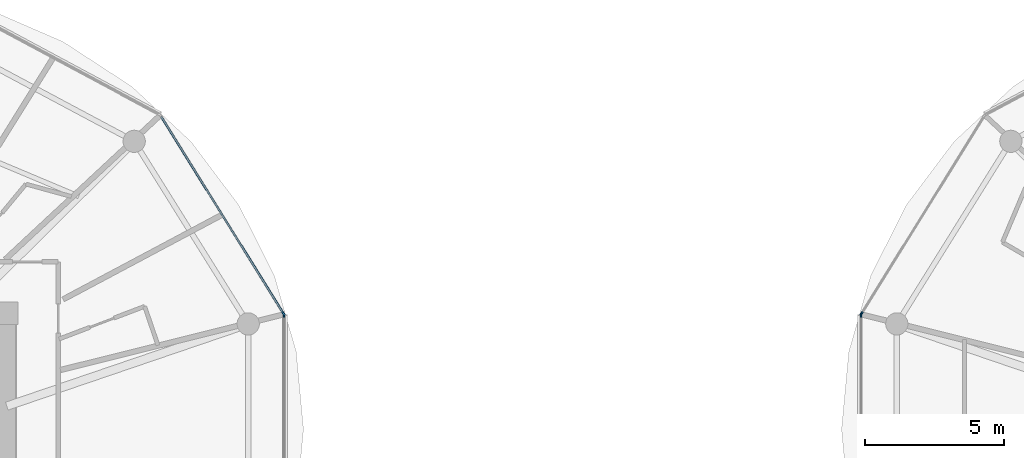
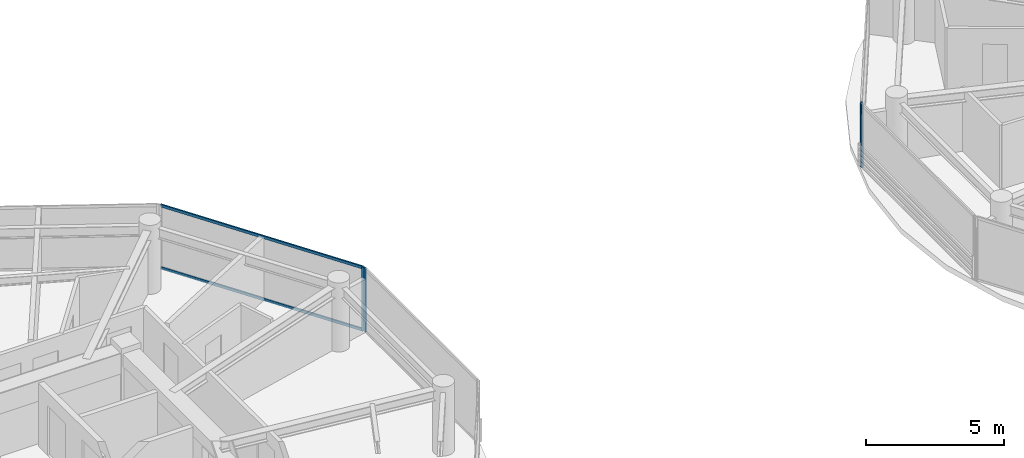
# One storey, part 7 of 22: 6 members, 4 elements without a shape of their own.
"""IFC4 building model written with IfcOpenShell, lengths in metres."""

from ifc_helpers import new_model, si_unit, direction, frame, origin, origin_2d, place, context, subcontext, project, spatial, rectangle, extrude, source, transform, mapped, material, layer, layer_set, material_profile, profile_set, type_object, type_shapes, element, aggregate, save


model = new_model("IFC4")

# Units and contexts
model_context = context("Model", 3, precision=1e-05, world=origin(), true_north=direction((0.0, 1.0)))
body_context = subcontext(model_context, "Body", "Model", "MODEL_VIEW")
ifc_project = project(units=[si_unit("LENGTHUNIT", "METRE"), si_unit("AREAUNIT", "SQUARE_METRE"), si_unit("VOLUMEUNIT", "CUBIC_METRE"), si_unit("PLANEANGLEUNIT", "RADIAN"), si_unit("MASSUNIT", "GRAM", prefix="KILO")], contexts=[model_context])

# Site, building, storey
site_placement = place(None, origin())
site = spatial("IfcSite", under=ifc_project, at=site_placement, CompositionType="ELEMENT")
building_placement = place(site_placement, origin())
building = spatial("IfcBuilding", under=site, at=building_placement, Name="Norrkilde Senior Care Towers", CompositionType="ELEMENT")
storey_placement = place(building_placement, frame((0.0, 0.0, 152.60009765625)))
storey = spatial("IfcBuildingStorey", under=building, at=storey_placement, Name="L47", CompositionType="ELEMENT", Elevation=152.60009765625)

# Curtain wall, members
ifc_material_1 = material(Name="Triple Low-E Insulated Glazing", Category="glass")
ifc_layer = layer(ifc_material_1, 0.18994140625)
ifc_layer_set = layer_set([ifc_layer], Name="Triple Low-E Insulated Glazing")
curtain_wall_type = type_object("IfcCurtainWallType", Name="CW4 Zone 3 Senior Residence Curtain Wall", PredefinedType="NOTDEFINED", material=ifc_layer_set)
curtain_wall_1_placement = place(storey_placement, origin())
curtain_wall_1 = element("IfcCurtainWall", 1, at=curtain_wall_1_placement, inside=storey, type_object=curtain_wall_type, Name="L47 Drum W Curtain Wall 00", PredefinedType="NOTDEFINED")
ifc_material_2 = material(Name="Anodised Aluminium", Category="aluminium")
ifc_material_profile_1 = material_profile(ifc_material_2, rectangle(XDim=0.06005859375, YDim=0.1201171875, at=origin_2d()), Name="ALU TRAN 60x120")
ifc_profile_set_1 = profile_set([ifc_material_profile_1], Name="Anodised Aluminium")
member_type_1 = type_object("IfcMemberType", Name="Curtain Wall Transom Typical 60x120", PredefinedType="USERDEFINED", material=ifc_profile_set_1)
shared_shape_1 = source(origin(), body_context, "Body", "SweptSolid", [
    extrude(rectangle(XDim=0.06005859375, YDim=0.1201171875, at=origin_2d()), origin(), (0.0, 0.0, 1.0), 8.301513671875),
])
type_shapes(member_type_1, [shared_shape_1])
member_1_placement = place(storey_placement, frame((-14.792724609375, 13.019775390625, 0.02978515625), z_axis=(0.527368718394, -0.849636531029, 0.0), x_axis=(0.849636531029, 0.527368718394, 0.0)))
member_1 = element("IfcMember", 2, at=member_1_placement, type_object=member_type_1, Name="CW-4 transom 1.1", ObjectType="TRANSOM", PredefinedType="USERDEFINED", context=body_context, shape_type="MappedRepresentation", body=[
    mapped(shared_shape_1, transform((0.0, 0.0, 0.0), x_axis=(1.0, 0.0, 0.0), y_axis=(0.0, 1.0, 0.0), z_axis=(0.0, 0.0, 1.0), scale=1.0)),
])
member_2_placement = place(storey_placement, frame((-14.792724609375, 13.019775390625, 2.77978515625), z_axis=(0.527368718394, -0.849636531029, 0.0), x_axis=(0.849636531029, 0.527368718394, 0.0)))
member_2 = element("IfcMember", 3, at=member_2_placement, type_object=member_type_1, Name="CW-4 transom 1.2", ObjectType="TRANSOM", PredefinedType="USERDEFINED", context=body_context, shape_type="MappedRepresentation", body=[
    mapped(shared_shape_1, transform((0.0, 0.0, 0.0), x_axis=(1.0, 0.0, 0.0), y_axis=(0.0, 1.0, 0.0), z_axis=(0.0, 0.0, 1.0), scale=1.0)),
])
ifc_material_profile_2 = material_profile(ifc_material_2, rectangle(XDim=0.06494140625, YDim=0.14990234375, at=origin_2d()), Name="ALU MULL 65x150")
ifc_profile_set_2 = profile_set([ifc_material_profile_2], Name="Anodised Aluminium")
member_type_2 = type_object("IfcMemberType", Name="Curtain Wall Mullion Z3-Z4 65x150", PredefinedType="MULLION", material=ifc_profile_set_2)
shared_shape_2 = source(origin(), body_context, "Body", "SweptSolid", [
    extrude(rectangle(XDim=0.06494140625, YDim=0.14990234375, at=origin_2d()), origin(), (0.0, 0.0, 1.0), 2.809814453125),
])
type_shapes(member_type_2, [shared_shape_2])
member_3_placement = place(storey_placement, frame((-10.3974609375, 5.93896484375, 0.0), z_axis=(0.0, 0.0, 1.0), x_axis=(0.84963405474, 0.52737270789, 0.0)))
member_3 = element("IfcMember", 4, at=member_3_placement, type_object=member_type_2, Name="CW-4 mullion 2", PredefinedType="MULLION", context=body_context, shape_type="MappedRepresentation", body=[
    mapped(shared_shape_2, transform((0.0, 0.0, 0.0), x_axis=(1.0, 0.0, 0.0), y_axis=(0.0, 1.0, 0.0), z_axis=(0.0, 0.0, 1.0), scale=1.0)),
])
aggregate(curtain_wall_1, [member_3, member_1, member_2])

# Curtain wall, member
curtain_wall_2_placement = place(storey_placement, origin())
curtain_wall_2 = element("IfcCurtainWall", 5, at=curtain_wall_2_placement, inside=storey, type_object=curtain_wall_type, Name="L47 Drum W Curtain Wall 11", PredefinedType="NOTDEFINED")
member_4_placement = place(storey_placement, frame((-10.38037109375, 5.878662109375, 0.0), z_axis=(0.0, 0.0, 1.0), x_axis=(1.0, 0.0, 0.0)))
member_4 = element("IfcMember", 6, at=member_4_placement, type_object=member_type_2, Name="CW-4 mullion 1", PredefinedType="MULLION", context=body_context, shape_type="MappedRepresentation", body=[
    mapped(shared_shape_2, transform((0.0, 0.0, 0.0), x_axis=(1.0, 0.0, 0.0), y_axis=(0.0, 1.0, 0.0), z_axis=(0.0, 0.0, 1.0), scale=1.0)),
])
aggregate(curtain_wall_2, [member_4])

curtain_wall_3_placement = place(storey_placement, origin())
curtain_wall_3 = element("IfcCurtainWall", 7, at=curtain_wall_3_placement, inside=storey, type_object=curtain_wall_type, Name="L47 Drum E Curtain Wall 04", PredefinedType="NOTDEFINED")
member_5_placement = place(storey_placement, frame((10.3974609375, 5.93896484375, 0.0), z_axis=(0.0, 0.0, 1.0), x_axis=(-0.84963405474, 0.52737270789, 0.0)))
member_5 = element("IfcMember", 8, at=member_5_placement, type_object=member_type_2, Name="CW-4 mullion 1", PredefinedType="MULLION", context=body_context, shape_type="MappedRepresentation", body=[
    mapped(shared_shape_2, transform((0.0, 0.0, 0.0), x_axis=(1.0, 0.0, 0.0), y_axis=(0.0, 1.0, 0.0), z_axis=(0.0, 0.0, 1.0), scale=1.0)),
])
aggregate(curtain_wall_3, [member_5])

curtain_wall_4_placement = place(storey_placement, origin())
curtain_wall_4 = element("IfcCurtainWall", 9, at=curtain_wall_4_placement, inside=storey, type_object=curtain_wall_type, Name="L47 Drum E Curtain Wall 05", PredefinedType="NOTDEFINED")
member_6_placement = place(storey_placement, frame((10.38037109375, 5.878662109375, 0.0), z_axis=(0.0, 0.0, 1.0), x_axis=(-1.0, 0.0, 0.0)))
member_6 = element("IfcMember", 10, at=member_6_placement, type_object=member_type_2, Name="CW-4 mullion 2", PredefinedType="MULLION", context=body_context, shape_type="MappedRepresentation", body=[
    mapped(shared_shape_2, transform((0.0, 0.0, 0.0), x_axis=(1.0, 0.0, 0.0), y_axis=(0.0, 1.0, 0.0), z_axis=(0.0, 0.0, 1.0), scale=1.0)),
])
aggregate(curtain_wall_4, [member_6])

save(model, "model.ifc")
